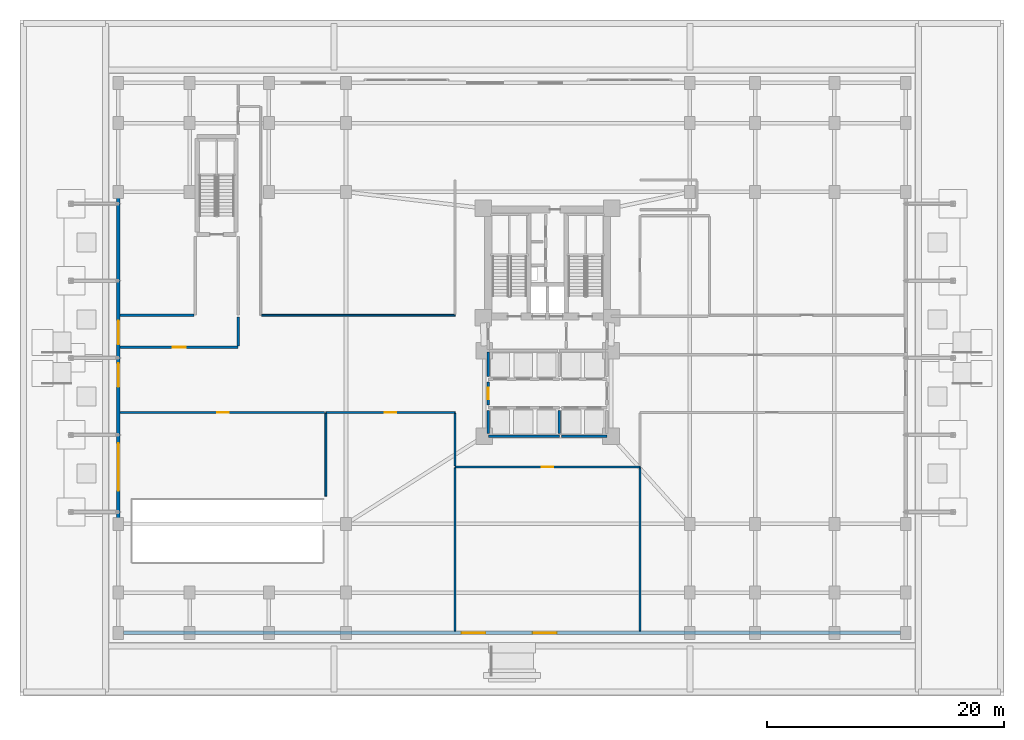
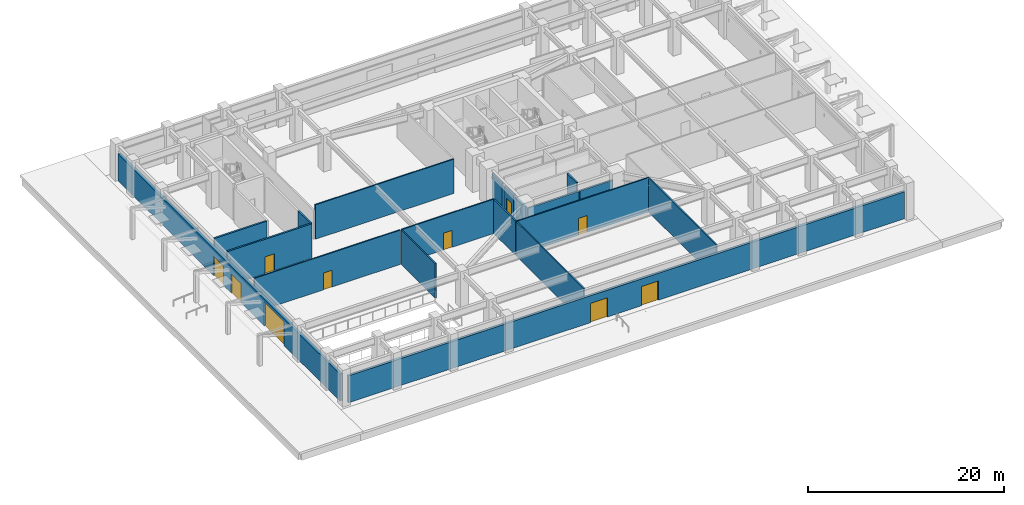
# One storey, part 16 of 23: 19 walls, 10 doors, 10 openings.
"""IFC4 building model written with IfcOpenShell, lengths in metres."""

import ifcopenshell
import ifcopenshell.guid

model = None  # the IFC model being written
_history = None  # IfcOwnerHistory: only IFC2X3 demands one
_inside = {}  # id of a spatial element -> (the spatial element, [elements in it])
_under = {}  # id of a project, library or spatial element -> (it, [spatial elements below it])
_declared = {}  # id of a project -> (the project, [libraries it declares])
_typed = {}  # id of a type object -> (the type object, [elements of that type])
_made_of = {}  # id of a material, layer set ... -> (it, [elements and type objects made of it])


def new_model(schema):
    """Start an empty IFC model of exactly this schema.

    Asked for "IFC4X3", IfcOpenShell would pick the latest addendum, in which some entities
    have other attributes; the version numbers below select the first issue.
    IFC2X3 requires an IfcOwnerHistory on every rooted entity: one is made here for all.
    """
    global model, _history
    if schema == "IFC4X3":
        model = ifcopenshell.file(schema_version=(4, 3, 0, 0))
    else:
        model = ifcopenshell.file(schema=schema)
    _inside.clear()
    _under.clear()
    _declared.clear()
    _typed.clear()
    _made_of.clear()
    _history = None
    if model.schema == "IFC2X3":
        org = make("IfcOrganization", Name="unknown")
        user = make(
            "IfcPersonAndOrganization",
            ThePerson=make("IfcPerson", FamilyName="unknown"),
            TheOrganization=org,
        )
        app = make(
            "IfcApplication",
            ApplicationDeveloper=org,
            Version="unknown",
            ApplicationFullName="unknown",
            ApplicationIdentifier="unknown",
        )
        _history = make(
            "IfcOwnerHistory",
            OwningUser=user,
            OwningApplication=app,
            ChangeAction="ADDED",
            CreationDate=0,
        )
    return model


def make(cls, **values):
    """One entity of the class cls with the attributes given. An attribute that is None is left unset."""
    return model.create_entity(
        cls, **{name: value for name, value in values.items() if value is not None}
    )


def rooted(cls, **values):
    """An entity with a GlobalId (a new one), such as an element, a storey or a relation."""
    return make(cls, GlobalId=ifcopenshell.guid.new(), OwnerHistory=_history, **values)


def si_unit(unit_type, name, prefix=None):
    """IfcSIUnit, for example si_unit("LENGTHUNIT", "METRE", prefix="MILLI")."""
    return make("IfcSIUnit", UnitType=unit_type, Prefix=prefix, Name=name)


def assignment(units):
    """IfcUnitAssignment: the units of a project."""
    return None if units is None else make("IfcUnitAssignment", Units=units)


def point(xyz):
    """IfcCartesianPoint."""
    return None if xyz is None else make("IfcCartesianPoint", Coordinates=xyz)


def direction(xyz):
    """IfcDirection."""
    return None if xyz is None else make("IfcDirection", DirectionRatios=xyz)


def frame(location, z_axis=None, x_axis=None):
    """IfcAxis2Placement3D, a coordinate frame: its origin and axes. An axis left out is left unset."""
    return make(
        "IfcAxis2Placement3D",
        Location=point(location),
        Axis=direction(z_axis),
        RefDirection=direction(x_axis),
    )


def frame_2d(location, x_axis=None):
    """IfcAxis2Placement2D, a coordinate frame in the plane: its origin and x axis."""
    return make(
        "IfcAxis2Placement2D", Location=point(location), RefDirection=direction(x_axis)
    )


def origin():
    """The frame at (0, 0, 0) with its axes left unset."""
    return frame((0.0, 0.0, 0.0))


def place(relative_to, where):
    """IfcLocalPlacement: puts the frame where relative to a parent placement (None: the world)."""
    return make(
        "IfcLocalPlacement", PlacementRelTo=relative_to, RelativePlacement=where
    )


def context(
    kind, dimensions, precision=None, world=None, true_north=None, identifier=None
):
    """IfcGeometricRepresentationContext, for example the 3D "Model" context."""
    return make(
        "IfcGeometricRepresentationContext",
        ContextIdentifier=identifier,
        ContextType=kind,
        CoordinateSpaceDimension=dimensions,
        Precision=precision,
        WorldCoordinateSystem=world,
        TrueNorth=true_north,
    )


def subcontext(parent, identifier, kind, view, scale=None):
    """IfcGeometricRepresentationSubContext, for example "Body" below "Model"."""
    return make(
        "IfcGeometricRepresentationSubContext",
        ContextIdentifier=identifier,
        ContextType=kind,
        ParentContext=parent,
        TargetScale=scale,
        TargetView=view,
    )


def project(units=None, contexts=None):
    """IfcProject with its units and contexts."""
    return rooted(
        "IfcProject",
        Name="project",
        RepresentationContexts=contexts,
        UnitsInContext=assignment(units),
    )


def spatial(cls, under=None, at=None, **own):
    """A site, building, storey or space (cls), placed at a placement, below another one or the project."""
    s = rooted(cls, ObjectPlacement=at, **own)
    if under is not None:
        _under.setdefault(under.id(), (under, []))[1].append(s)
    return s


def profile(cls, at=None, kind="AREA", **sizes):
    """A parametric profile (cls). Its sizes go by their IFC names, for example OverallWidth=200.0."""
    return make(cls, ProfileType=kind, Position=at, **sizes)


def rectangle(**sizes):
    """IfcRectangleProfileDef."""
    return profile("IfcRectangleProfileDef", **sizes)


def extrude(swept, where, along, depth):
    """IfcExtrudedAreaSolid: the profile swept, set in the frame where, extruded along a direction by depth."""
    return make(
        "IfcExtrudedAreaSolid",
        SweptArea=swept,
        Position=where,
        ExtrudedDirection=direction(along),
        Depth=depth,
    )


def shape(context_of_items, identifier, shape_type, items):
    """IfcShapeRepresentation: the items that make up one representation, for example the "Body"."""
    return make(
        "IfcShapeRepresentation",
        ContextOfItems=context_of_items,
        RepresentationIdentifier=identifier,
        RepresentationType=shape_type,
        Items=items,
    )


def material(Name=None, Category=None):
    """IfcMaterial."""
    return make("IfcMaterial", Name=Name, Category=Category)


def layer(
    of_material, thickness, ventilated=None, Name=None, Category=None, Priority=None
):
    """IfcMaterialLayer: one layer of a wall or slab, of a material (None: an air gap)."""
    return make(
        "IfcMaterialLayer",
        Material=of_material,
        LayerThickness=thickness,
        IsVentilated=ventilated,
        Name=Name,
        Category=Category,
        Priority=Priority,
    )


def layer_set(layers, Name=None):
    """IfcMaterialLayerSet."""
    return make("IfcMaterialLayerSet", MaterialLayers=layers, LayerSetName=Name)


def made_of(thing, what):
    """Note that an element or type object is made of a material, layer set ...; save() writes the relation."""
    if what is not None:
        _made_of.setdefault(what.id(), (what, []))[1].append(thing)
    return thing


def type_object(cls, material=None, **own):
    """A type object (cls), such as IfcWallType, which elements share."""
    return made_of(rooted(cls, **own), material)


def element(
    cls,
    number,
    at=None,
    inside=None,
    cuts=None,
    type_object=None,
    material=None,
    context=None,
    identifier="Body",
    shape_type=None,
    held_by="IfcProductDefinitionShape",
    body=None,
    shapes=None,
    **own,
):
    """One element of the class cls, such as IfcWall. Its Tag is "e" and its number.

    at: its placement. inside: the storey or other place that contains it. cuts: it is an
    opening in that element (IfcRelVoidsElement). A single representation is given by context,
    identifier, shape_type and body (its items); several are given by shapes. held_by: the class
    of the entity that holds the representations. save() writes the other relations.
    """
    e = rooted(cls, Tag="e%d" % number, ObjectPlacement=at, **own)
    if body is not None:
        shapes = [shape(context, identifier, shape_type, body)]
    if shapes is not None:
        e.Representation = make(held_by, Representations=shapes)
    if inside is not None:
        _inside.setdefault(inside.id(), (inside, []))[1].append(e)
    if cuts is not None:
        rooted(
            "IfcRelVoidsElement", RelatingBuildingElement=cuts, RelatedOpeningElement=e
        )
    if type_object is not None:
        _typed.setdefault(type_object.id(), (type_object, []))[1].append(e)
    return made_of(e, material)


def fill(opening, filler):
    """IfcRelFillsElement: the door or window that sits in an opening."""
    return rooted(
        "IfcRelFillsElement",
        RelatingOpeningElement=opening,
        RelatedBuildingElement=filler,
    )


def aggregate(whole, parts):
    """IfcRelAggregates: a whole, such as a stair, and the parts it consists of."""
    return rooted("IfcRelAggregates", RelatingObject=whole, RelatedObjects=parts)


def save(model, path):
    """Write the relations noted so far, then the file.

    IfcRelAggregates (storeys below a building ...), IfcRelContainedInSpatialStructure (elements
    in a storey), IfcRelDefinesByType, IfcRelAssociatesMaterial and IfcRelDeclares: one each for
    every whole, place, type object, material and project.
    """
    for whole, parts in _under.values():
        aggregate(whole, parts)
    for where, things in _inside.values():
        rooted(
            "IfcRelContainedInSpatialStructure",
            RelatedElements=things,
            RelatingStructure=where,
        )
    for kind, things in _typed.values():
        rooted("IfcRelDefinesByType", RelatedObjects=things, RelatingType=kind)
    for what, things in _made_of.values():
        rooted("IfcRelAssociatesMaterial", RelatedObjects=things, RelatingMaterial=what)
    for by, libraries in _declared.values():
        rooted("IfcRelDeclares", RelatingContext=by, RelatedDefinitions=libraries)
    model.write(path)


model = new_model("IFC4")

# Units and contexts
model_context = context("Model", 3, precision=1e-05, world=origin(), true_north=direction((0.0, 1.0)))
body_context = subcontext(model_context, "Body", "Model", "MODEL_VIEW")
ifc_project = project(units=[si_unit("LENGTHUNIT", "METRE"), si_unit("AREAUNIT", "SQUARE_METRE"), si_unit("VOLUMEUNIT", "CUBIC_METRE"), si_unit("PLANEANGLEUNIT", "RADIAN"), si_unit("MASSUNIT", "GRAM", prefix="KILO")], contexts=[model_context])

# Site, building, storey
site_placement = place(None, origin())
site = spatial("IfcSite", under=ifc_project, at=site_placement, CompositionType="ELEMENT")
building_placement = place(site_placement, origin())
building = spatial("IfcBuilding", under=site, at=building_placement, Name="Varnakorn Sky Granary", CompositionType="ELEMENT")
storey_placement = place(building_placement, origin())
storey = spatial("IfcBuildingStorey", under=building, at=storey_placement, Name="L00", CompositionType="ELEMENT", Elevation=0.0)

# Wall, openings, doors
ifc_material_1 = material(Name="Precast concrete C40/50", Category="concrete")
ifc_layer_1 = layer(ifc_material_1, 0.300048828125, Name="Precast concrete C40/50")
ifc_layer_set_1 = layer_set([ifc_layer_1], Name="Precast concrete C40/50")
wall_type_1 = type_object("IfcWallType", Name="WT-EW-POD-300", PredefinedType="SOLIDWALL", material=ifc_layer_set_1)
wall_1_placement = place(storey_placement, frame((-33.199951171875, -22.655029296875, 0.0), z_axis=(0.0, 0.0, 1.0), x_axis=(0.0, 1.0, 0.0)))
wall_1 = element("IfcWall", 1, at=wall_1_placement, inside=storey, type_object=wall_type_1, Name="Podium Exterior Facade Wall L00-W", PredefinedType="SOLIDWALL", context=body_context, shape_type="SweptSolid", body=[
    extrude(rectangle(XDim=45.31005859375, YDim=0.300048828125, at=frame_2d((22.655029296875, 0.0))), origin(), (0.0, 0.0, 1.0), 3.35009765625),
])
opening_1_placement = place(wall_1_placement, frame((11.449951171875, 0.0, 0.0)))
opening_1 = element("IfcOpeningElement", 2, at=opening_1_placement, cuts=wall_1, Name="Opening VG-01", PredefinedType="OPENING", context=body_context, shape_type="SweptSolid", body=[
    extrude(rectangle(XDim=4.0, YDim=3.0, at=frame_2d((2.0, 1.5))), frame((0.0, 0.16015625, 0.0), z_axis=(0.0, -1.0, 0.0), x_axis=(1.0, 0.0, 0.0)), (0.0, 0.0, 1.0), 0.320068359375),
])
opening_2_placement = place(wall_1_placement, frame((20.199951171875, 0.0, 0.0)))
opening_2 = element("IfcOpeningElement", 3, at=opening_2_placement, cuts=wall_1, Name="Opening ED-01", PredefinedType="OPENING", context=body_context, shape_type="SweptSolid", body=[
    extrude(rectangle(XDim=2.0, YDim=2.39990234375, at=frame_2d((1.0, 1.199951171875))), frame((0.0, 0.16015625, 0.0), z_axis=(0.0, -1.0, 0.0), x_axis=(1.0, 0.0, 0.0)), (0.0, 0.0, 1.0), 0.320068359375),
])
opening_3_placement = place(wall_1_placement, frame((23.800048828125, 0.0, 0.0)))
opening_3 = element("IfcOpeningElement", 4, at=opening_3_placement, cuts=wall_1, Name="Opening ED-02", PredefinedType="OPENING", context=body_context, shape_type="SweptSolid", body=[
    extrude(rectangle(XDim=2.0, YDim=2.39990234375, at=frame_2d((1.0, 1.199951171875))), frame((0.0, 0.16015625, 0.0), z_axis=(0.0, -1.0, 0.0), x_axis=(1.0, 0.0, 0.0)), (0.0, 0.0, 1.0), 0.320068359375),
])
ifc_material_2 = material(Name="Anodised Bronze Aluminium Alloy 6063-T6", Category="aluminium")
door_type_1 = type_object("IfcDoorType", Name="DR-EXIT-2000", OperationType="NOTDEFINED", PredefinedType="DOOR", material=ifc_material_2)
door_1_placement = place(opening_2_placement, origin())
door_1 = element("IfcDoor", 5, at=door_1_placement, inside=storey, type_object=door_type_1, Name="Final Exit Pedestrian Door ED-01", OperationType="DOUBLE_DOOR_SINGLE_SWING", OverallHeight=2.39990234375, OverallWidth=2.0, PredefinedType="DOOR", context=body_context, shape_type="SweptSolid", body=[
    extrude(rectangle(XDim=2.0, YDim=2.39990234375, at=frame_2d((1.0, 1.199951171875))), frame((0.0, 0.02490234375, 0.0), z_axis=(0.0, -1.0, 0.0), x_axis=(1.0, 0.0, 0.0)), (0.0, 0.0, 1.0), 0.050048828125),
])
fill(opening_2, door_1)
door_2_placement = place(opening_3_placement, origin())
door_2 = element("IfcDoor", 6, at=door_2_placement, inside=storey, type_object=door_type_1, Name="Final Exit Pedestrian Door ED-02", OperationType="DOUBLE_DOOR_SINGLE_SWING", OverallHeight=2.39990234375, OverallWidth=2.0, PredefinedType="DOOR", context=body_context, shape_type="SweptSolid", body=[
    extrude(rectangle(XDim=2.0, YDim=2.39990234375, at=frame_2d((1.0, 1.199951171875))), frame((0.0, 0.02490234375, 0.0), z_axis=(0.0, -1.0, 0.0), x_axis=(1.0, 0.0, 0.0)), (0.0, 0.0, 1.0), 0.050048828125),
])
fill(opening_3, door_2)
door_type_2 = type_object("IfcDoorType", Name="DR-SHUT-4000", OperationType="ROLLINGUP", PredefinedType="GATE", material=ifc_material_2)
door_3_placement = place(opening_1_placement, origin())
door_3 = element("IfcDoor", 7, at=door_3_placement, inside=storey, type_object=door_type_2, Name="Car Park Vehicle Entrance Roller Shutter VG-01", OperationType="ROLLINGUP", OverallHeight=3.0, OverallWidth=4.0, PredefinedType="GATE", context=body_context, shape_type="SweptSolid", body=[
    extrude(rectangle(XDim=4.0, YDim=3.0, at=frame_2d((2.0, 1.5))), frame((0.0, 0.02490234375, 0.0), z_axis=(0.0, -1.0, 0.0), x_axis=(1.0, 0.0, 0.0)), (0.0, 0.0, 1.0), 0.050048828125),
])
fill(opening_1, door_3)

wall_2_placement = place(storey_placement, frame((32.7548828125, -23.199951171875, 0.0), z_axis=(0.0, 0.0, 1.0), x_axis=(-1.0, 0.0, 0.0)))
wall_2 = element("IfcWall", 8, at=wall_2_placement, inside=storey, type_object=wall_type_1, Name="Podium Exterior Facade Wall L00-S", PredefinedType="SOLIDWALL", context=body_context, shape_type="SweptSolid", body=[
    extrude(rectangle(XDim=65.509765625, YDim=0.300048828125, at=frame_2d((32.7548828125, 0.0))), origin(), (0.0, 0.0, 1.0), 3.35009765625),
])
opening_4_placement = place(wall_2_placement, frame((29.0, 0.0, 0.0)))
opening_4 = element("IfcOpeningElement", 9, at=opening_4_placement, cuts=wall_2, Name="Opening ED-07", PredefinedType="OPENING", context=body_context, shape_type="SweptSolid", body=[
    extrude(rectangle(XDim=2.0, YDim=2.39990234375, at=frame_2d((1.0, 1.199951171875))), frame((0.0, 0.16015625, 0.0), z_axis=(0.0, -1.0, 0.0), x_axis=(1.0, 0.0, 0.0)), (0.0, 0.0, 1.0), 0.320068359375),
])
opening_5_placement = place(wall_2_placement, frame((35.0, 0.0, 0.0)))
opening_5 = element("IfcOpeningElement", 10, at=opening_5_placement, cuts=wall_2, Name="Opening ED-08", PredefinedType="OPENING", context=body_context, shape_type="SweptSolid", body=[
    extrude(rectangle(XDim=2.0, YDim=2.39990234375, at=frame_2d((1.0, 1.199951171875))), frame((0.0, 0.16015625, 0.0), z_axis=(0.0, -1.0, 0.0), x_axis=(1.0, 0.0, 0.0)), (0.0, 0.0, 1.0), 0.320068359375),
])
door_4_placement = place(opening_4_placement, origin())
door_4 = element("IfcDoor", 11, at=door_4_placement, inside=storey, type_object=door_type_1, Name="Final Exit Pedestrian Door ED-07", OperationType="DOUBLE_DOOR_SINGLE_SWING", OverallHeight=2.39990234375, OverallWidth=2.0, PredefinedType="DOOR", context=body_context, shape_type="SweptSolid", body=[
    extrude(rectangle(XDim=2.0, YDim=2.39990234375, at=frame_2d((1.0, 1.199951171875))), frame((0.0, 0.02490234375, 0.0), z_axis=(0.0, -1.0, 0.0), x_axis=(1.0, 0.0, 0.0)), (0.0, 0.0, 1.0), 0.050048828125),
])
fill(opening_4, door_4)
door_5_placement = place(opening_5_placement, origin())
door_5 = element("IfcDoor", 12, at=door_5_placement, inside=storey, type_object=door_type_1, Name="Final Exit Pedestrian Door ED-08", OperationType="DOUBLE_DOOR_SINGLE_SWING", OverallHeight=2.39990234375, OverallWidth=2.0, PredefinedType="DOOR", context=body_context, shape_type="SweptSolid", body=[
    extrude(rectangle(XDim=2.0, YDim=2.39990234375, at=frame_2d((1.0, 1.199951171875))), frame((0.0, 0.02490234375, 0.0), z_axis=(0.0, -1.0, 0.0), x_axis=(1.0, 0.0, 0.0)), (0.0, 0.0, 1.0), 0.050048828125),
])
fill(opening_5, door_5)

# Wall, opening, door
ifc_material_3 = material(Name="Autoclaved Aerated Concrete Blockwork", Category="masonry")
ifc_layer_2 = layer(ifc_material_3, 0.199951171875, Name="Autoclaved Aerated Concrete Blockwork")
ifc_layer_set_2 = layer_set([ifc_layer_2], Name="Autoclaved Aerated Concrete Blockwork")
wall_type_2 = type_object("IfcWallType", Name="WT-FIRE-200", PredefinedType="MOVABLE", material=ifc_layer_set_2)
wall_3_placement = place(storey_placement, frame((-2.0, -3.969970703125, 0.0), z_axis=(0.0, 0.0, 1.0), x_axis=(0.0, 1.0, 0.0)))
wall_3 = element("IfcWall", 13, at=wall_3_placement, inside=storey, type_object=wall_type_2, Name="Interior Partition Wall L00-020", PredefinedType="MOVABLE", context=body_context, shape_type="SweptSolid", body=[
    extrude(rectangle(XDim=1.93994140625, YDim=0.199951171875, at=frame_2d((0.969970703125, 0.0))), origin(), (0.0, 0.0, 1.0), 3.362060546875),
])
opening_6_placement = place(wall_3_placement, frame((0.469970703125, 0.0, 0.0)))
opening_6 = element("IfcOpeningElement", 14, at=opening_6_placement, cuts=wall_3, Name="Opening FD-60", PredefinedType="OPENING", context=body_context, shape_type="SweptSolid", body=[
    extrude(rectangle(XDim=1.0, YDim=2.10009765625, at=frame_2d((0.5, 1.050048828125))), frame((0.0, 0.10986328125, 0.0), z_axis=(0.0, -1.0, 0.0), x_axis=(1.0, 0.0, 0.0)), (0.0, 0.0, 1.0), 0.219970703125),
])
ifc_material_4 = material(Name="Acoustic Timber Fire Leaf", Category="wood")
door_type_3 = type_object("IfcDoorType", Name="DR-FD60-1000", OperationType="NOTDEFINED", PredefinedType="DOOR", material=ifc_material_4)
door_6_placement = place(opening_6_placement, origin())
door_6 = element("IfcDoor", 15, at=door_6_placement, inside=storey, type_object=door_type_3, Name="Interior Door L00-020-1", OperationType="SINGLE_SWING_RIGHT", OverallHeight=2.10009765625, OverallWidth=1.0, PredefinedType="DOOR", context=body_context, shape_type="SweptSolid", body=[
    extrude(rectangle(XDim=1.0, YDim=2.10009765625, at=frame_2d((0.5, 1.050048828125))), frame((0.0, 0.02490234375, 0.0), z_axis=(0.0, -1.0, 0.0), x_axis=(1.0, 0.0, 0.0)), (0.0, 0.0, 1.0), 0.050048828125),
])
fill(opening_6, door_6)

wall_4_placement = place(storey_placement, frame((-23.10009765625, 0.89990234375, 0.0), z_axis=(0.0, 0.0, 1.0), x_axis=(-1.0, 0.0, 0.0)))
wall_4 = element("IfcWall", 16, at=wall_4_placement, inside=storey, type_object=wall_type_2, Name="Interior Partition Wall L00-022", PredefinedType="MOVABLE", context=body_context, shape_type="SweptSolid", body=[
    extrude(rectangle(XDim=9.949951171875, YDim=0.199951171875, at=frame_2d((4.97509765625, 0.0))), origin(), (0.0, 0.0, 1.0), 4.280029296875),
])
opening_7_placement = place(wall_4_placement, frame((4.425048828125, 0.0, 0.0)))
opening_7 = element("IfcOpeningElement", 17, at=opening_7_placement, cuts=wall_4, Name="Opening FD-60W", PredefinedType="OPENING", context=body_context, shape_type="SweptSolid", body=[
    extrude(rectangle(XDim=1.10009765625, YDim=2.10009765625, at=frame_2d((0.550048828125, 1.050048828125))), frame((0.0, 0.10986328125, 0.0), z_axis=(0.0, -1.0, 0.0), x_axis=(1.0, 0.0, 0.0)), (0.0, 0.0, 1.0), 0.219970703125),
])
ifc_material_5 = material(Name="Galvanised Painted Steel Leaf", Category="steel")
door_type_4 = type_object("IfcDoorType", Name="DR-FD60-1100", OperationType="NOTDEFINED", PredefinedType="DOOR", material=ifc_material_5)
door_7_placement = place(opening_7_placement, origin())
door_7 = element("IfcDoor", 18, at=door_7_placement, inside=storey, type_object=door_type_4, Name="Interior Door L00-022-1", OperationType="SINGLE_SWING_RIGHT", OverallHeight=2.10009765625, OverallWidth=1.10009765625, PredefinedType="DOOR", context=body_context, shape_type="SweptSolid", body=[
    extrude(rectangle(XDim=1.10009765625, YDim=2.10009765625, at=frame_2d((0.550048828125, 1.050048828125))), frame((0.0, 0.02490234375, 0.0), z_axis=(0.0, -1.0, 0.0), x_axis=(1.0, 0.0, 0.0)), (0.0, 0.0, 1.0), 0.050048828125),
])
fill(opening_7, door_7)

# Walls
wall_5_placement = place(storey_placement, frame((-23.10009765625, 3.43994140625, 0.0), z_axis=(0.0, 0.0, 1.0), x_axis=(0.0, -1.0, 0.0)))
element("IfcWall", 19, at=wall_5_placement, inside=storey, type_object=wall_type_2, Name="Interior Partition Wall L00-035", PredefinedType="MOVABLE", context=body_context, shape_type="SweptSolid", body=[
    extrude(rectangle(XDim=2.429931640625, YDim=0.199951171875, at=frame_2d((1.21484375, 0.0))), origin(), (0.0, 0.0, 1.0), 4.280029296875),
])
wall_6_placement = place(storey_placement, frame((-26.840087890625, 3.60009765625, 0.0), z_axis=(0.0, 0.0, 1.0), x_axis=(-1.0, 0.0, 0.0)))
element("IfcWall", 20, at=wall_6_placement, inside=storey, type_object=wall_type_2, Name="Interior Partition Wall L00-049", PredefinedType="MOVABLE", context=body_context, shape_type="SweptSolid", body=[
    extrude(rectangle(XDim=6.2099609375, YDim=0.199951171875, at=frame_2d((3.10498046875, 0.0))), origin(), (0.0, 0.0, 1.0), 4.280029296875),
])

# Wall, opening, door
ifc_material_6 = material(Name="Gypsum Plasterboard on Steel Stud", Category="steel")
ifc_layer_3 = layer(ifc_material_6, 0.14990234375, Name="Gypsum Plasterboard on Steel Stud")
ifc_layer_set_3 = layer_set([ifc_layer_3], Name="Gypsum Plasterboard on Steel Stud")
wall_type_3 = type_object("IfcWallType", Name="WT-PART-150", PredefinedType="PARTITIONING", material=ifc_layer_set_3)
wall_7_placement = place(storey_placement, frame((-15.699951171875, -4.60009765625, 0.0), z_axis=(0.0, 0.0, 1.0), x_axis=(1.0, 0.0, 0.0)))
wall_7 = element("IfcWall", 21, at=wall_7_placement, inside=storey, type_object=wall_type_3, Name="Interior Partition Wall L00-024", PredefinedType="PARTITIONING", context=body_context, shape_type="SweptSolid", body=[
    extrude(rectangle(XDim=10.89990234375, YDim=0.14990234375, at=frame_2d((5.449951171875, 0.0))), origin(), (0.0, 0.0, 1.0), 4.280029296875),
])
opening_8_placement = place(wall_7_placement, frame((4.949951171875, 0.0, 0.0)))
opening_8 = element("IfcOpeningElement", 22, at=opening_8_placement, cuts=wall_7, Name="Opening ID-100", PredefinedType="OPENING", context=body_context, shape_type="SweptSolid", body=[
    extrude(rectangle(XDim=1.0, YDim=2.10009765625, at=frame_2d((0.5, 1.050048828125))), frame((0.0, 0.0849609375, 0.0), z_axis=(0.0, -1.0, 0.0), x_axis=(1.0, 0.0, 0.0)), (0.0, 0.0, 1.0), 0.169921875),
])
ifc_material_7 = material(Name="Solid-Core Teak Veneer Leaf", Category="timber")
door_type_5 = type_object("IfcDoorType", Name="DR-INT-1000", OperationType="NOTDEFINED", PredefinedType="DOOR", material=ifc_material_7)
door_8_placement = place(opening_8_placement, origin())
door_8 = element("IfcDoor", 23, at=door_8_placement, inside=storey, type_object=door_type_5, Name="Interior Door L00-024-1", OperationType="SINGLE_SWING_RIGHT", OverallHeight=2.10009765625, OverallWidth=1.0, PredefinedType="DOOR", context=body_context, shape_type="SweptSolid", body=[
    extrude(rectangle(XDim=1.0, YDim=2.10009765625, at=frame_2d((0.5, 1.050048828125))), frame((0.0, 0.02490234375, 0.0), z_axis=(0.0, -1.0, 0.0), x_axis=(1.0, 0.0, 0.0)), (0.0, 0.0, 1.0), 0.050048828125),
])
fill(opening_8, door_8)

wall_8_placement = place(storey_placement, frame((-4.800048828125, -9.199951171875, 0.0), z_axis=(0.0, 0.0, 1.0), x_axis=(1.0, 0.0, 0.0)))
wall_8 = element("IfcWall", 24, at=wall_8_placement, inside=storey, type_object=wall_type_3, Name="Interior Partition Wall L00-026", PredefinedType="PARTITIONING", context=body_context, shape_type="SweptSolid", body=[
    extrude(rectangle(XDim=15.60009765625, YDim=0.14990234375, at=frame_2d((7.800048828125, 0.0))), origin(), (0.0, 0.0, 1.0), 4.280029296875),
])
opening_9_placement = place(wall_8_placement, frame((7.300048828125, 0.0, 0.0)))
opening_9 = element("IfcOpeningElement", 25, at=opening_9_placement, cuts=wall_8, Name="Opening ID-100", PredefinedType="OPENING", context=body_context, shape_type="SweptSolid", body=[
    extrude(rectangle(XDim=1.0, YDim=2.10009765625, at=frame_2d((0.5, 1.050048828125))), frame((0.0, 0.0849609375, 0.0), z_axis=(0.0, -1.0, 0.0), x_axis=(1.0, 0.0, 0.0)), (0.0, 0.0, 1.0), 0.169921875),
])
door_9_placement = place(opening_9_placement, origin())
door_9 = element("IfcDoor", 26, at=door_9_placement, inside=storey, type_object=door_type_5, Name="Interior Door L00-026-1", OperationType="SINGLE_SWING_RIGHT", OverallHeight=2.10009765625, OverallWidth=1.0, PredefinedType="DOOR", context=body_context, shape_type="SweptSolid", body=[
    extrude(rectangle(XDim=1.0, YDim=2.10009765625, at=frame_2d((0.5, 1.050048828125))), frame((0.0, 0.02490234375, 0.0), z_axis=(0.0, -1.0, 0.0), x_axis=(1.0, 0.0, 0.0)), (0.0, 0.0, 1.0), 0.050048828125),
])
fill(opening_9, door_9)

wall_9_placement = place(storey_placement, frame((-33.050048828125, -4.60009765625, 0.0), z_axis=(0.0, 0.0, 1.0), x_axis=(1.0, 0.0, 0.0)))
wall_9 = element("IfcWall", 27, at=wall_9_placement, inside=storey, type_object=wall_type_3, Name="Interior Partition Wall L00-027", PredefinedType="PARTITIONING", context=body_context, shape_type="SweptSolid", body=[
    extrude(rectangle(XDim=17.215087890625, YDim=0.14990234375, at=frame_2d((8.607421875, 0.0))), origin(), (0.0, 0.0, 1.0), 4.280029296875),
])
opening_10_placement = place(wall_9_placement, frame((8.175048828125, 0.0, 0.0)))
opening_10 = element("IfcOpeningElement", 28, at=opening_10_placement, cuts=wall_9, Name="Opening ID-100", PredefinedType="OPENING", context=body_context, shape_type="SweptSolid", body=[
    extrude(rectangle(XDim=1.0, YDim=2.10009765625, at=frame_2d((0.5, 1.050048828125))), frame((0.0, 0.0849609375, 0.0), z_axis=(0.0, -1.0, 0.0), x_axis=(1.0, 0.0, 0.0)), (0.0, 0.0, 1.0), 0.169921875),
])
door_10_placement = place(opening_10_placement, origin())
door_10 = element("IfcDoor", 29, at=door_10_placement, inside=storey, type_object=door_type_5, Name="Interior Door L00-027-1", OperationType="SINGLE_SWING_LEFT", OverallHeight=2.10009765625, OverallWidth=1.0, PredefinedType="DOOR", context=body_context, shape_type="SweptSolid", body=[
    extrude(rectangle(XDim=1.0, YDim=2.10009765625, at=frame_2d((0.5, 1.050048828125))), frame((0.0, 0.02490234375, 0.0), z_axis=(0.0, -1.0, 0.0), x_axis=(1.0, 0.0, 0.0)), (0.0, 0.0, 1.0), 0.050048828125),
])
fill(opening_10, door_10)

# Walls
wall_10_placement = place(storey_placement, frame((-4.800048828125, -4.68505859375, 0.0), z_axis=(0.0, 0.0, 1.0), x_axis=(0.0, -1.0, 0.0)))
element("IfcWall", 30, at=wall_10_placement, inside=storey, type_object=wall_type_3, Name="Interior Partition Wall L00-037", PredefinedType="PARTITIONING", context=body_context, shape_type="SweptSolid", body=[
    extrude(rectangle(XDim=4.429931640625, YDim=0.14990234375, at=frame_2d((2.21484375, 0.0))), origin(), (0.0, 0.0, 1.0), 4.280029296875),
])
wall_11_placement = place(storey_placement, frame((-4.800048828125, 3.60009765625, 0.0), z_axis=(0.0, 0.0, 1.0), x_axis=(-1.0, 0.0, 0.0)))
element("IfcWall", 31, at=wall_11_placement, inside=storey, type_object=wall_type_3, Name="Interior Partition Wall L00-039", PredefinedType="PARTITIONING", context=body_context, shape_type="SweptSolid", body=[
    extrude(rectangle(XDim=16.31494140625, YDim=0.14990234375, at=frame_2d((8.157470703125, 0.0))), origin(), (0.0, 0.0, 1.0), 4.280029296875),
])
wall_12_placement = place(storey_placement, frame((-4.800048828125, -9.284912109375, 0.0), z_axis=(0.0, 0.0, 1.0), x_axis=(0.0, -1.0, 0.0)))
element("IfcWall", 32, at=wall_12_placement, inside=storey, type_object=wall_type_3, Name="Interior Partition Wall L00-045", PredefinedType="PARTITIONING", context=body_context, shape_type="SweptSolid", body=[
    extrude(rectangle(XDim=13.76513671875, YDim=0.14990234375, at=frame_2d((6.882568359375, 0.0))), origin(), (0.0, 0.0, 1.0), 4.280029296875),
])
wall_13_placement = place(storey_placement, frame((-15.699951171875, -11.659912109375, 0.0), z_axis=(0.0, 0.0, 1.0), x_axis=(0.0, 1.0, 0.0)))
element("IfcWall", 33, at=wall_13_placement, inside=storey, type_object=wall_type_3, Name="Interior Partition Wall L00-046", PredefinedType="PARTITIONING", context=body_context, shape_type="SweptSolid", body=[
    extrude(rectangle(XDim=6.974853515625, YDim=0.14990234375, at=frame_2d((3.4873046875, 0.0))), origin(), (0.0, 0.0, 1.0), 4.280029296875),
])
wall_14_placement = place(storey_placement, frame((10.800048828125, -23.050048828125, 0.0), z_axis=(0.0, 0.0, 1.0), x_axis=(0.0, 1.0, 0.0)))
element("IfcWall", 34, at=wall_14_placement, inside=storey, type_object=wall_type_3, Name="Interior Partition Wall L00-047", PredefinedType="PARTITIONING", context=body_context, shape_type="SweptSolid", body=[
    extrude(rectangle(XDim=13.76513671875, YDim=0.14990234375, at=frame_2d((6.882568359375, 0.0))), origin(), (0.0, 0.0, 1.0), 4.280029296875),
])
ifc_layer_4 = layer(ifc_material_3, 0.199951171875, Name="Autoclaved Aerated Concrete Blockwork")
ifc_layer_set_4 = layer_set([ifc_layer_4], Name="Autoclaved Aerated Concrete Blockwork")
wall_type_4 = type_object("IfcWallType", Name="WT-SHAFT-200", PredefinedType="SOLIDWALL", material=ifc_layer_set_4)
wall_15_placement = place(storey_placement, frame((-2.0, -1.570068359375, 0.0), z_axis=(0.0, 0.0, 1.0), x_axis=(0.0, 1.0, 0.0)))
element("IfcWall", 35, at=wall_15_placement, inside=storey, type_object=wall_type_4, Name="Interior Partition Wall L00-005", PredefinedType="SOLIDWALL", context=body_context, shape_type="SweptSolid", body=[
    extrude(rectangle(XDim=2.050048828125, YDim=0.199951171875, at=frame_2d((1.02490234375, 0.0))), origin(), (0.0, 0.0, 1.0), 3.362060546875),
])
wall_16_placement = place(storey_placement, frame((-2.0, -6.60009765625, 0.0), z_axis=(0.0, 0.0, 1.0), x_axis=(1.0, 0.0, 0.0)))
element("IfcWall", 36, at=wall_16_placement, inside=storey, type_object=wall_type_4, Name="Interior Partition Wall L00-010", PredefinedType="SOLIDWALL", context=body_context, shape_type="SweptSolid", body=[
    extrude(rectangle(XDim=6.0, YDim=0.199951171875, at=frame_2d((3.0, 0.0))), origin(), (0.0, 0.0, 1.0), 3.362060546875),
])
wall_17_placement = place(storey_placement, frame((-2.0, -6.3701171875, 0.0), z_axis=(0.0, 0.0, 1.0), x_axis=(0.0, 1.0, 0.0)))
element("IfcWall", 37, at=wall_17_placement, inside=storey, type_object=wall_type_4, Name="Interior Partition Wall L00-011", PredefinedType="SOLIDWALL", context=body_context, shape_type="SweptSolid", body=[
    extrude(rectangle(XDim=1.940185546875, YDim=0.199951171875, at=frame_2d((0.97021484375, 0.0))), origin(), (0.0, 0.0, 1.0), 3.362060546875),
])
wall_18_placement = place(storey_placement, frame((4.159912109375, -6.60009765625, 0.0), z_axis=(0.0, 0.0, 1.0), x_axis=(1.0, 0.0, 0.0)))
element("IfcWall", 38, at=wall_18_placement, inside=storey, type_object=wall_type_4, Name="Interior Partition Wall L00-013", PredefinedType="SOLIDWALL", context=body_context, shape_type="SweptSolid", body=[
    extrude(rectangle(XDim=3.840087890625, YDim=0.199951171875, at=frame_2d((1.919921875, 0.0))), origin(), (0.0, 0.0, 1.0), 3.362060546875),
])
wall_19_placement = place(storey_placement, frame((4.0, -6.3701171875, 0.0), z_axis=(0.0, 0.0, 1.0), x_axis=(0.0, 1.0, 0.0)))
element("IfcWall", 39, at=wall_19_placement, inside=storey, type_object=wall_type_4, Name="Interior Partition Wall L00-014", PredefinedType="SOLIDWALL", context=body_context, shape_type="SweptSolid", body=[
    extrude(rectangle(XDim=1.940185546875, YDim=0.199951171875, at=frame_2d((0.97021484375, 0.0))), origin(), (0.0, 0.0, 1.0), 4.280029296875),
])

save(model, "model.ifc")
